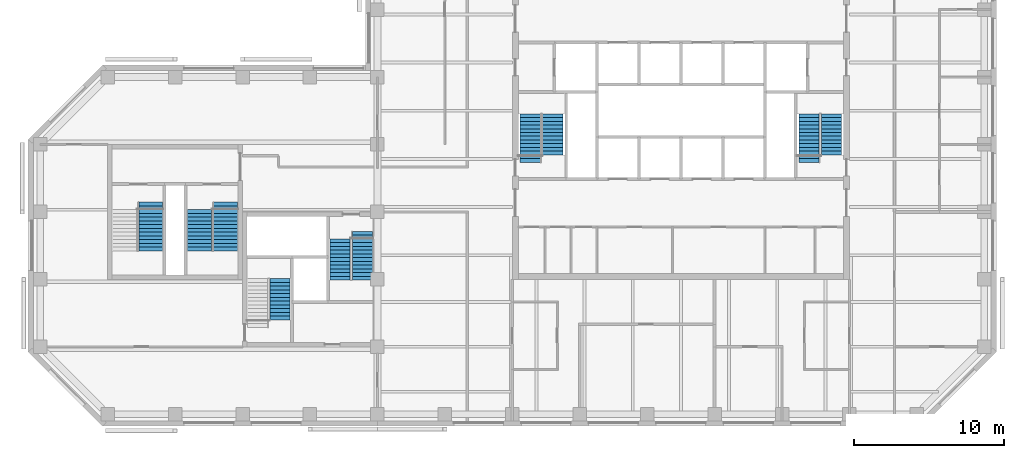
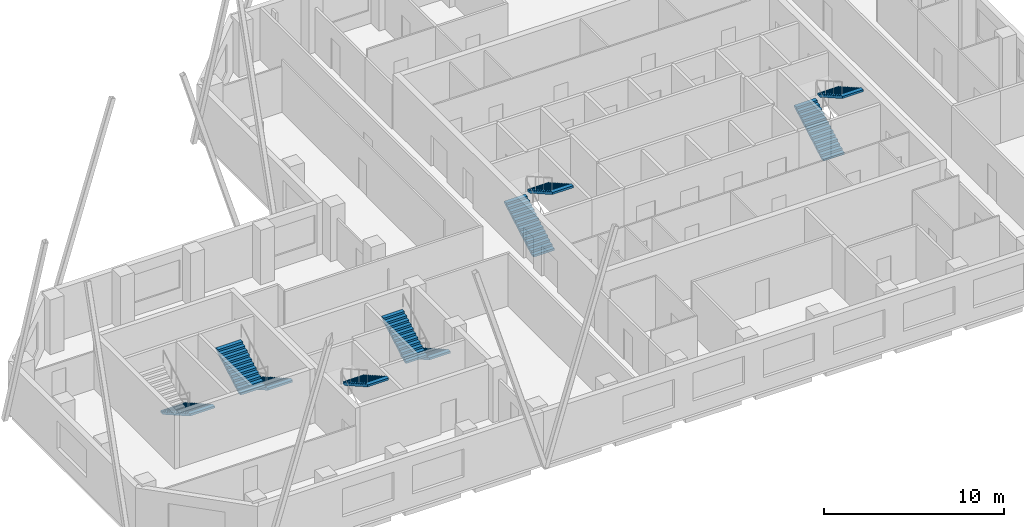
# One storey, part 8 of 9: 10 stair flights, 6 elements without a shape of their own.
"""IFC4 building model written with IfcOpenShell, lengths in metres."""

from ifc_helpers import new_model, si_unit, direction, frame, origin, place, context, subcontext, project, spatial, polyline, outline, extrude, material, type_object, element, aggregate, save


model = new_model("IFC4")

# Units and contexts
model_context = context("Model", 3, precision=1e-05, world=origin(), true_north=direction((0.0, 1.0)))
body_context = subcontext(model_context, "Body", "Model", "MODEL_VIEW")
ifc_project = project(units=[si_unit("LENGTHUNIT", "METRE"), si_unit("AREAUNIT", "SQUARE_METRE"), si_unit("VOLUMEUNIT", "CUBIC_METRE"), si_unit("PLANEANGLEUNIT", "RADIAN"), si_unit("MASSUNIT", "GRAM", prefix="KILO")], contexts=[model_context])

# Site, building, storey
site_placement = place(None, origin())
site = spatial("IfcSite", under=ifc_project, at=site_placement, CompositionType="ELEMENT")
building_placement = place(site_placement, origin())
building = spatial("IfcBuilding", under=site, at=building_placement, Name="Quoin Convention Tower", CompositionType="ELEMENT")
storey_placement = place(building_placement, frame((0.0, 0.0, 219.300048828125)))
storey = spatial("IfcBuildingStorey", under=building, at=storey_placement, Name="L57", CompositionType="ELEMENT", Elevation=219.300048828125)

# Stair, stair flights
ifc_material = material(Name="Concrete C40", Category="concrete")
stair_type_1 = type_object("IfcStairType", Name="Exit stair two-flight 1350", PredefinedType="HALF_TURN_STAIR", material=ifc_material)
stair_1_placement = place(storey_placement, origin())
stair_1 = element("IfcStair", 1, at=stair_1_placement, inside=storey, type_object=stair_type_1, Name="SD1 L57", PredefinedType="HALF_TURN_STAIR")
stair_flight_type_1 = type_object("IfcStairFlightType", Name="Stair flight 1350", PredefinedType="STRAIGHT", material=ifc_material)
stair_flight_1_placement = place(storey_placement, frame((46.199951171875, 57.300048828125, 0.0), z_axis=(0.0, 0.0, 1.0), x_axis=(0.0, 1.0, 0.0)))
stair_flight_1 = element("IfcStairFlight", 2, at=stair_flight_1_placement, type_object=stair_flight_type_1, Name="ST1 flight 1", NumberOfRisers=14, NumberOfTreads=13, PredefinedType="STRAIGHT", RiserHeight=0.142307692, TreadLength=0.25, context=body_context, shape_type="SweptSolid", body=[
    extrude(outline(polyline([(0.0, 0.0), (0.0, 0.142333984375), (0.25, 0.142333984375), (0.25, 0.28466796875), (0.5, 0.28466796875), (0.5, 0.427001953125), (0.75, 0.427001953125), (0.75, 0.5693359375), (1.0, 0.5693359375), (1.0, 0.71142578125), (1.25, 0.71142578125), (1.25, 0.853759765625), (1.5, 0.853759765625), (1.5, 0.99609375), (1.75, 0.99609375), (1.75, 1.138427734375), (2.0, 1.138427734375), (2.0, 1.28076171875), (2.25, 1.28076171875), (2.25, 1.423095703125), (2.5, 1.423095703125), (2.5, 1.5654296875), (2.75, 1.5654296875), (2.75, 1.707763671875), (3.0, 1.707763671875), (3.0, 1.85009765625), (3.25, 1.85009765625), (3.25, 1.9921875), (3.25, 1.711669921875), (0.242919921875, 0.0), (0.0, 0.0)])), frame((0.0, 0.675048828125, 0.0), z_axis=(0.0, -1.0, 0.0), x_axis=(1.0, 0.0, 0.0)), (0.0, 0.0, 1.0), 1.35009765625),
])
stair_flight_2_placement = place(storey_placement, frame((47.699951171875, 60.550048828125, 1.9921875), z_axis=(0.0, 0.0, 1.0), x_axis=(0.0, -1.0, 0.0)))
stair_flight_2 = element("IfcStairFlight", 3, at=stair_flight_2_placement, type_object=stair_flight_type_1, Name="ST1 flight 2", NumberOfRisers=12, NumberOfTreads=11, PredefinedType="STRAIGHT", RiserHeight=0.142307692, TreadLength=0.25, context=body_context, shape_type="SweptSolid", body=[
    extrude(outline(polyline([(0.0, 0.0), (0.0, 0.142333984375), (0.25, 0.142333984375), (0.25, 0.28466796875), (0.5, 0.28466796875), (0.5, 0.427001953125), (0.75, 0.427001953125), (0.75, 0.5693359375), (1.0, 0.5693359375), (1.0, 0.71142578125), (1.25, 0.71142578125), (1.25, 0.853759765625), (1.5, 0.853759765625), (1.5, 0.99609375), (1.75, 0.99609375), (1.75, 1.138427734375), (2.0, 1.138427734375), (2.0, 1.28076171875), (2.25, 1.28076171875), (2.25, 1.423095703125), (2.5, 1.423095703125), (2.5, 1.5654296875), (2.75, 1.5654296875), (2.75, 1.707763671875), (2.75, 1.42724609375), (0.242919921875, 0.0), (0.0, 0.0)])), frame((0.0, 0.675048828125, 0.0), z_axis=(0.0, -1.0, 0.0), x_axis=(1.0, 0.0, 0.0)), (0.0, 0.0, 1.0), 1.35009765625),
])
aggregate(stair_1, [stair_flight_1, stair_flight_2])

stair_2_placement = place(storey_placement, origin())
stair_2 = element("IfcStair", 4, at=stair_2_placement, inside=storey, type_object=stair_type_1, Name="SD2 L57", PredefinedType="HALF_TURN_STAIR")
stair_flight_3_placement = place(storey_placement, frame((64.800048828125, 57.300048828125, 0.0), z_axis=(0.0, 0.0, 1.0), x_axis=(0.0, 1.0, 0.0)))
stair_flight_3 = element("IfcStairFlight", 5, at=stair_flight_3_placement, type_object=stair_flight_type_1, Name="ST2 flight 1", NumberOfRisers=14, NumberOfTreads=13, PredefinedType="STRAIGHT", RiserHeight=0.142307692, TreadLength=0.25, context=body_context, shape_type="SweptSolid", body=[
    extrude(outline(polyline([(0.0, 0.0), (0.0, 0.142333984375), (0.25, 0.142333984375), (0.25, 0.28466796875), (0.5, 0.28466796875), (0.5, 0.427001953125), (0.75, 0.427001953125), (0.75, 0.5693359375), (1.0, 0.5693359375), (1.0, 0.71142578125), (1.25, 0.71142578125), (1.25, 0.853759765625), (1.5, 0.853759765625), (1.5, 0.99609375), (1.75, 0.99609375), (1.75, 1.138427734375), (2.0, 1.138427734375), (2.0, 1.28076171875), (2.25, 1.28076171875), (2.25, 1.423095703125), (2.5, 1.423095703125), (2.5, 1.5654296875), (2.75, 1.5654296875), (2.75, 1.707763671875), (3.0, 1.707763671875), (3.0, 1.85009765625), (3.25, 1.85009765625), (3.25, 1.9921875), (3.25, 1.711669921875), (0.242919921875, 0.0), (0.0, 0.0)])), frame((0.0, 0.675048828125, 0.0), z_axis=(0.0, -1.0, 0.0), x_axis=(1.0, 0.0, 0.0)), (0.0, 0.0, 1.0), 1.35009765625),
])
stair_flight_4_placement = place(storey_placement, frame((66.300048828125, 60.550048828125, 1.9921875), z_axis=(0.0, 0.0, 1.0), x_axis=(0.0, -1.0, 0.0)))
stair_flight_4 = element("IfcStairFlight", 6, at=stair_flight_4_placement, type_object=stair_flight_type_1, Name="ST2 flight 2", NumberOfRisers=12, NumberOfTreads=11, PredefinedType="STRAIGHT", RiserHeight=0.142307692, TreadLength=0.25, context=body_context, shape_type="SweptSolid", body=[
    extrude(outline(polyline([(0.0, 0.0), (0.0, 0.142333984375), (0.25, 0.142333984375), (0.25, 0.28466796875), (0.5, 0.28466796875), (0.5, 0.427001953125), (0.75, 0.427001953125), (0.75, 0.5693359375), (1.0, 0.5693359375), (1.0, 0.71142578125), (1.25, 0.71142578125), (1.25, 0.853759765625), (1.5, 0.853759765625), (1.5, 0.99609375), (1.75, 0.99609375), (1.75, 1.138427734375), (2.0, 1.138427734375), (2.0, 1.28076171875), (2.25, 1.28076171875), (2.25, 1.423095703125), (2.5, 1.423095703125), (2.5, 1.5654296875), (2.75, 1.5654296875), (2.75, 1.707763671875), (2.75, 1.42724609375), (0.242919921875, 0.0), (0.0, 0.0)])), frame((0.0, 0.675048828125, 0.0), z_axis=(0.0, -1.0, 0.0), x_axis=(1.0, 0.0, 0.0)), (0.0, 0.0, 1.0), 1.35009765625),
])
aggregate(stair_2, [stair_flight_3, stair_flight_4])

# Stair, stair flight
stair_3_placement = place(storey_placement, origin())
stair_3 = element("IfcStair", 7, at=stair_3_placement, inside=storey, type_object=stair_type_1, Name="SD3 L57", PredefinedType="HALF_TURN_STAIR")
stair_flight_5_placement = place(storey_placement, frame((29.5, 49.550048828125, 1.9921875), z_axis=(0.0, 0.0, 1.0), x_axis=(0.0, -1.0, 0.0)))
stair_flight_5 = element("IfcStairFlight", 8, at=stair_flight_5_placement, type_object=stair_flight_type_1, Name="ST3 flight 2", NumberOfRisers=12, NumberOfTreads=11, PredefinedType="STRAIGHT", RiserHeight=0.142307692, TreadLength=0.25, context=body_context, shape_type="SweptSolid", body=[
    extrude(outline(polyline([(0.0, 0.0), (0.0, 0.142333984375), (0.25, 0.142333984375), (0.25, 0.28466796875), (0.5, 0.28466796875), (0.5, 0.427001953125), (0.75, 0.427001953125), (0.75, 0.5693359375), (1.0, 0.5693359375), (1.0, 0.71142578125), (1.25, 0.71142578125), (1.25, 0.853759765625), (1.5, 0.853759765625), (1.5, 0.99609375), (1.75, 0.99609375), (1.75, 1.138427734375), (2.0, 1.138427734375), (2.0, 1.28076171875), (2.25, 1.28076171875), (2.25, 1.423095703125), (2.5, 1.423095703125), (2.5, 1.5654296875), (2.75, 1.5654296875), (2.75, 1.707763671875), (2.75, 1.42724609375), (0.242919921875, 0.0), (0.0, 0.0)])), frame((0.0, 0.675048828125, 0.0), z_axis=(0.0, -1.0, 0.0), x_axis=(1.0, 0.0, 0.0)), (0.0, 0.0, 1.0), 1.35009765625),
])
aggregate(stair_3, [stair_flight_5])

# Stair, stair flights
stair_4_placement = place(storey_placement, origin())
stair_4 = element("IfcStair", 9, at=stair_4_placement, inside=storey, type_object=stair_type_1, Name="SD4 L57", PredefinedType="HALF_TURN_STAIR")
stair_flight_6_placement = place(storey_placement, frame((35.0, 52.699951171875, 0.0), z_axis=(0.0, 0.0, 1.0), x_axis=(0.0, -1.0, 0.0)))
stair_flight_6 = element("IfcStairFlight", 10, at=stair_flight_6_placement, type_object=stair_flight_type_1, Name="ST4 flight 1", NumberOfRisers=14, NumberOfTreads=13, PredefinedType="STRAIGHT", RiserHeight=0.142307692, TreadLength=0.25, context=body_context, shape_type="SweptSolid", body=[
    extrude(outline(polyline([(0.0, 0.0), (0.0, 0.142333984375), (0.25, 0.142333984375), (0.25, 0.28466796875), (0.5, 0.28466796875), (0.5, 0.427001953125), (0.75, 0.427001953125), (0.75, 0.5693359375), (1.0, 0.5693359375), (1.0, 0.71142578125), (1.25, 0.71142578125), (1.25, 0.853759765625), (1.5, 0.853759765625), (1.5, 0.99609375), (1.75, 0.99609375), (1.75, 1.138427734375), (2.0, 1.138427734375), (2.0, 1.28076171875), (2.25, 1.28076171875), (2.25, 1.423095703125), (2.5, 1.423095703125), (2.5, 1.5654296875), (2.75, 1.5654296875), (2.75, 1.707763671875), (3.0, 1.707763671875), (3.0, 1.85009765625), (3.25, 1.85009765625), (3.25, 1.9921875), (3.25, 1.711669921875), (0.242919921875, 0.0), (0.0, 0.0)])), frame((0.0, 0.675048828125, 0.0), z_axis=(0.0, -1.0, 0.0), x_axis=(1.0, 0.0, 0.0)), (0.0, 0.0, 1.0), 1.35009765625),
])
stair_flight_7_placement = place(storey_placement, frame((33.5, 49.449951171875, 1.9921875), z_axis=(0.0, 0.0, 1.0), x_axis=(0.0, 1.0, 0.0)))
stair_flight_7 = element("IfcStairFlight", 11, at=stair_flight_7_placement, type_object=stair_flight_type_1, Name="ST4 flight 2", NumberOfRisers=12, NumberOfTreads=11, PredefinedType="STRAIGHT", RiserHeight=0.142307692, TreadLength=0.25, context=body_context, shape_type="SweptSolid", body=[
    extrude(outline(polyline([(0.0, 0.0), (0.0, 0.142333984375), (0.25, 0.142333984375), (0.25, 0.28466796875), (0.5, 0.28466796875), (0.5, 0.427001953125), (0.75, 0.427001953125), (0.75, 0.5693359375), (1.0, 0.5693359375), (1.0, 0.71142578125), (1.25, 0.71142578125), (1.25, 0.853759765625), (1.5, 0.853759765625), (1.5, 0.99609375), (1.75, 0.99609375), (1.75, 1.138427734375), (2.0, 1.138427734375), (2.0, 1.28076171875), (2.25, 1.28076171875), (2.25, 1.423095703125), (2.5, 1.423095703125), (2.5, 1.5654296875), (2.75, 1.5654296875), (2.75, 1.707763671875), (2.75, 1.42724609375), (0.242919921875, 0.0), (0.0, 0.0)])), frame((0.0, 0.675048828125, 0.0), z_axis=(0.0, -1.0, 0.0), x_axis=(1.0, 0.0, 0.0)), (0.0, 0.0, 1.0), 1.35009765625),
])
aggregate(stair_4, [stair_flight_6, stair_flight_7])

# Stair, stair flight
stair_type_2 = type_object("IfcStairType", Name="Exit stair two-flight 1600", PredefinedType="HALF_TURN_STAIR", material=ifc_material)
stair_5_placement = place(storey_placement, origin())
stair_5 = element("IfcStair", 12, at=stair_5_placement, inside=storey, type_object=stair_type_2, Name="SD11 L57", PredefinedType="HALF_TURN_STAIR")
stair_flight_type_2 = type_object("IfcStairFlightType", Name="Stair flight 1600", PredefinedType="STRAIGHT", material=ifc_material)
stair_flight_8_placement = place(storey_placement, frame((20.875, 54.64990234375, 0.0), z_axis=(0.0, 0.0, 1.0), x_axis=(0.0, -1.0, 0.0)))
stair_flight_8 = element("IfcStairFlight", 13, at=stair_flight_8_placement, type_object=stair_flight_type_2, Name="ST11 flight 1", NumberOfRisers=14, NumberOfTreads=13, PredefinedType="STRAIGHT", RiserHeight=0.142307692, TreadLength=0.25, context=body_context, shape_type="SweptSolid", body=[
    extrude(outline(polyline([(0.0, 0.0), (0.0, 0.142333984375), (0.25, 0.142333984375), (0.25, 0.28466796875), (0.5, 0.28466796875), (0.5, 0.427001953125), (0.75, 0.427001953125), (0.75, 0.5693359375), (1.0, 0.5693359375), (1.0, 0.71142578125), (1.25, 0.71142578125), (1.25, 0.853759765625), (1.5, 0.853759765625), (1.5, 0.99609375), (1.75, 0.99609375), (1.75, 1.138427734375), (2.0, 1.138427734375), (2.0, 1.28076171875), (2.25, 1.28076171875), (2.25, 1.423095703125), (2.5, 1.423095703125), (2.5, 1.5654296875), (2.75, 1.5654296875), (2.75, 1.707763671875), (3.0, 1.707763671875), (3.0, 1.85009765625), (3.25, 1.85009765625), (3.25, 1.9921875), (3.25, 1.711669921875), (0.242919921875, 0.0), (0.0, 0.0)])), frame((0.0, 0.800048828125, 0.0), z_axis=(0.0, -1.0, 0.0), x_axis=(1.0, 0.0, 0.0)), (0.0, 0.0, 1.0), 1.60009765625),
])
aggregate(stair_5, [stair_flight_8])

# Stair, stair flights
stair_6_placement = place(storey_placement, origin())
stair_6 = element("IfcStair", 14, at=stair_6_placement, inside=storey, type_object=stair_type_2, Name="SD12 L57", PredefinedType="HALF_TURN_STAIR")
stair_flight_9_placement = place(storey_placement, frame((25.875, 54.64990234375, 0.0), z_axis=(0.0, 0.0, 1.0), x_axis=(0.0, -1.0, 0.0)))
stair_flight_9 = element("IfcStairFlight", 15, at=stair_flight_9_placement, type_object=stair_flight_type_2, Name="ST12 flight 1", NumberOfRisers=14, NumberOfTreads=13, PredefinedType="STRAIGHT", RiserHeight=0.142307692, TreadLength=0.25, context=body_context, shape_type="SweptSolid", body=[
    extrude(outline(polyline([(0.0, 0.0), (0.0, 0.142333984375), (0.25, 0.142333984375), (0.25, 0.28466796875), (0.5, 0.28466796875), (0.5, 0.427001953125), (0.75, 0.427001953125), (0.75, 0.5693359375), (1.0, 0.5693359375), (1.0, 0.71142578125), (1.25, 0.71142578125), (1.25, 0.853759765625), (1.5, 0.853759765625), (1.5, 0.99609375), (1.75, 0.99609375), (1.75, 1.138427734375), (2.0, 1.138427734375), (2.0, 1.28076171875), (2.25, 1.28076171875), (2.25, 1.423095703125), (2.5, 1.423095703125), (2.5, 1.5654296875), (2.75, 1.5654296875), (2.75, 1.707763671875), (3.0, 1.707763671875), (3.0, 1.85009765625), (3.25, 1.85009765625), (3.25, 1.9921875), (3.25, 1.711669921875), (0.242919921875, 0.0), (0.0, 0.0)])), frame((0.0, 0.800048828125, 0.0), z_axis=(0.0, -1.0, 0.0), x_axis=(1.0, 0.0, 0.0)), (0.0, 0.0, 1.0), 1.60009765625),
])
stair_flight_10_placement = place(storey_placement, frame((24.125, 51.39990234375, 1.9921875), z_axis=(0.0, 0.0, 1.0), x_axis=(0.0, 1.0, 0.0)))
stair_flight_10 = element("IfcStairFlight", 16, at=stair_flight_10_placement, type_object=stair_flight_type_2, Name="ST12 flight 2", NumberOfRisers=12, NumberOfTreads=11, PredefinedType="STRAIGHT", RiserHeight=0.142307692, TreadLength=0.25, context=body_context, shape_type="SweptSolid", body=[
    extrude(outline(polyline([(0.0, 0.0), (0.0, 0.142333984375), (0.25, 0.142333984375), (0.25, 0.28466796875), (0.5, 0.28466796875), (0.5, 0.427001953125), (0.75, 0.427001953125), (0.75, 0.5693359375), (1.0, 0.5693359375), (1.0, 0.71142578125), (1.25, 0.71142578125), (1.25, 0.853759765625), (1.5, 0.853759765625), (1.5, 0.99609375), (1.75, 0.99609375), (1.75, 1.138427734375), (2.0, 1.138427734375), (2.0, 1.28076171875), (2.25, 1.28076171875), (2.25, 1.423095703125), (2.5, 1.423095703125), (2.5, 1.5654296875), (2.75, 1.5654296875), (2.75, 1.707763671875), (2.75, 1.42724609375), (0.242919921875, 0.0), (0.0, 0.0)])), frame((0.0, 0.800048828125, 0.0), z_axis=(0.0, -1.0, 0.0), x_axis=(1.0, 0.0, 0.0)), (0.0, 0.0, 1.0), 1.60009765625),
])
aggregate(stair_6, [stair_flight_9, stair_flight_10])

save(model, "model.ifc")
